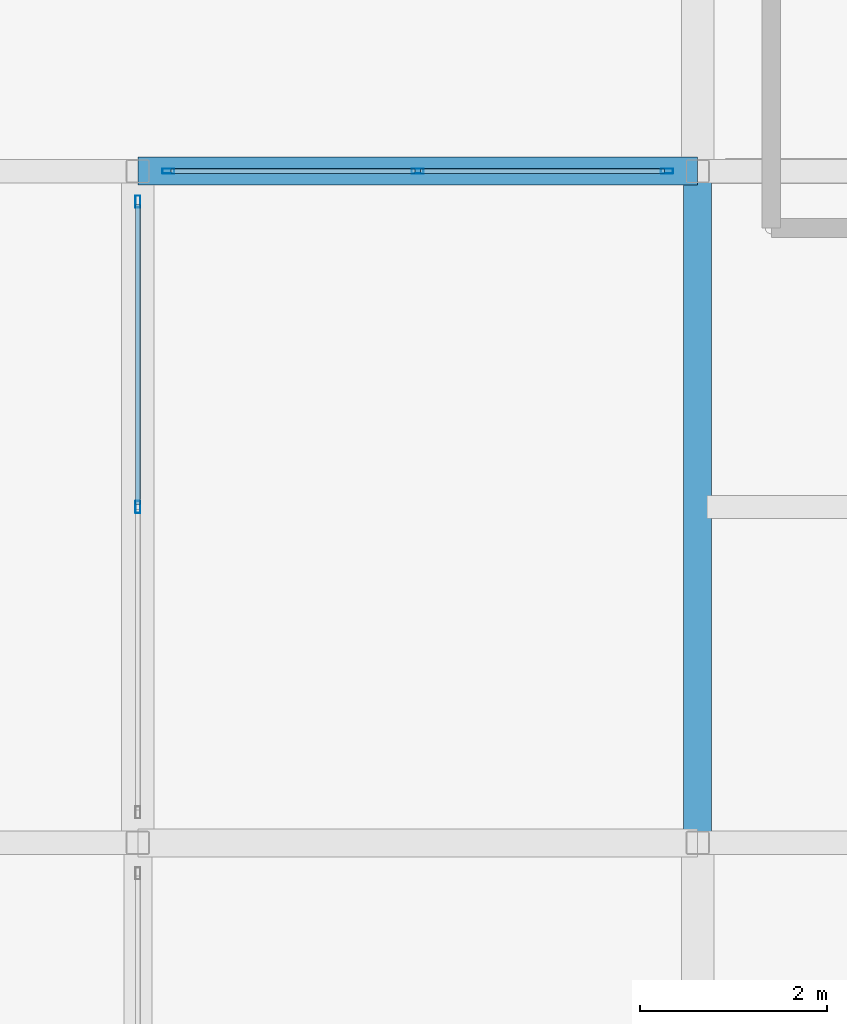
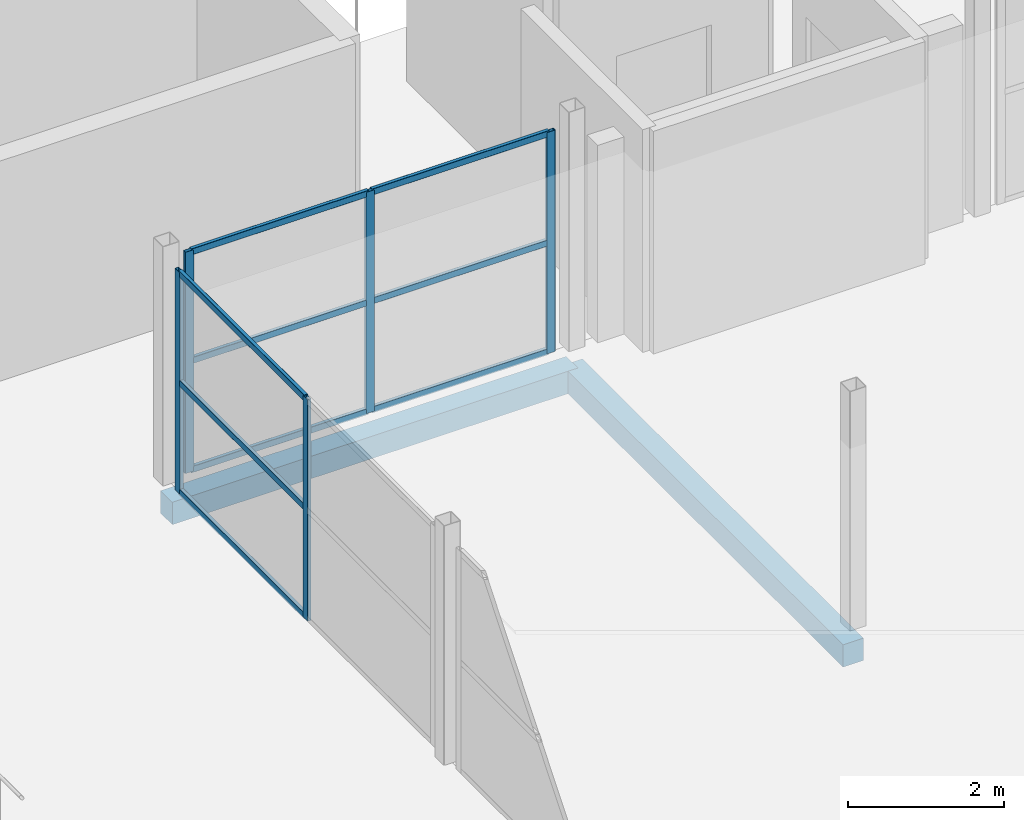
# One storey, part 45 of 239: 14 members, 2 beams, 2 elements without a shape of their own.
"""IFC4 building model written with IfcOpenShell, lengths in metres."""

from ifc_helpers import new_model, si_unit, direction, frame, origin, origin_2d, place, context, subcontext, project, spatial, rectangle, hollow_rectangle, extrude, material, layer, layer_set, material_profile, profile_set, type_object, element, aggregate, save


model = new_model("IFC4")

# Units and contexts
model_context = context("Model", 3, precision=1e-05, world=origin(), true_north=direction((0.0, 1.0)))
body_context = subcontext(model_context, "Body", "Model", "MODEL_VIEW")
ifc_project = project(units=[si_unit("LENGTHUNIT", "METRE"), si_unit("AREAUNIT", "SQUARE_METRE"), si_unit("VOLUMEUNIT", "CUBIC_METRE"), si_unit("PLANEANGLEUNIT", "RADIAN"), si_unit("MASSUNIT", "GRAM", prefix="KILO")], contexts=[model_context])

# Site, building, storey
site_placement = place(None, origin())
site = spatial("IfcSite", under=ifc_project, at=site_placement, CompositionType="ELEMENT")
building_placement = place(site_placement, origin())
building = spatial("IfcBuilding", under=site, at=building_placement, Name="Dunvalen Ferry Terminal", CompositionType="ELEMENT")
storey_placement = place(building_placement, frame((0.0, 0.0, 9.840087890625)))
storey = spatial("IfcBuildingStorey", under=building, at=storey_placement, Name="L02", CompositionType="ELEMENT", Elevation=9.840087890625)

# Curtain wall, members
ifc_material_1 = material(Name="Anodised marine aluminium and solar-control glazing", Category="aluminium")
ifc_layer_1 = layer(ifc_material_1, 0.159912109375, Name="Anodised marine aluminium and solar-control glazing")
ifc_layer_set_1 = layer_set([ifc_layer_1], Name="Anodised marine aluminium and solar-control glazing")
curtain_wall_type_1 = type_object("IfcCurtainWallType", Name="ENV-CW-SYS-09", PredefinedType="NOTDEFINED", material=ifc_layer_set_1)
curtain_wall_1_placement = place(storey_placement, origin())
curtain_wall_1 = element("IfcCurtainWall", 1, at=curtain_wall_1_placement, inside=storey, type_object=curtain_wall_type_1, Name="L02 Curtain Wall CW-PAV-N-1", PredefinedType="NOTDEFINED")
ifc_material_2 = material(Name="Anodised marine aluminium EN AW-6063 T6", Category="aluminium")
ifc_material_profile_1 = material_profile(ifc_material_2, hollow_rectangle(XDim=0.054931640625, YDim=0.1298828125, WallThickness=0.003173828125, InnerFilletRadius=0.003173828125, OuterFilletRadius=0.00634765625, at=origin_2d()), Name="Anodised marine aluminium EN AW-6063 T6")
ifc_profile_set_1 = profile_set([ifc_material_profile_1], Name="Anodised marine aluminium EN AW-6063 T6")
member_type_1 = type_object("IfcMemberType", Name="ENV-CW-MUL-4", PredefinedType="MULLION", material=ifc_profile_set_1)
member_1_placement = place(storey_placement, frame((114.327392578125, 36.0, 0.0), z_axis=(0.0, 0.0, 1.0), x_axis=(0.0, 1.0, 0.0)))
member_1 = element("IfcMember", 2, at=member_1_placement, type_object=member_type_1, Name="CW-09 mullion 1", PredefinedType="MULLION", context=body_context, shape_type="SweptSolid", body=[
    extrude(hollow_rectangle(XDim=0.054931640625, YDim=0.1298828125, WallThickness=0.003173828125, InnerFilletRadius=0.003173828125, OuterFilletRadius=0.00634765625, at=origin_2d()), origin(), (0.0, 0.0, 1.0), 3.4599609375),
])
member_2_placement = place(storey_placement, frame((117.0, 36.0, 0.0), z_axis=(0.0, 0.0, 1.0), x_axis=(0.0, 1.0, 0.0)))
member_2 = element("IfcMember", 3, at=member_2_placement, type_object=member_type_1, Name="CW-09 mullion 2", PredefinedType="MULLION", context=body_context, shape_type="SweptSolid", body=[
    extrude(hollow_rectangle(XDim=0.054931640625, YDim=0.1298828125, WallThickness=0.003173828125, InnerFilletRadius=0.003173828125, OuterFilletRadius=0.00634765625, at=origin_2d()), origin(), (0.0, 0.0, 1.0), 3.4599609375),
])
member_3_placement = place(storey_placement, frame((119.672607421875, 36.0, 0.0), z_axis=(0.0, 0.0, 1.0), x_axis=(0.0, 1.0, 0.0)))
member_3 = element("IfcMember", 4, at=member_3_placement, type_object=member_type_1, Name="CW-09 mullion 3", PredefinedType="MULLION", context=body_context, shape_type="SweptSolid", body=[
    extrude(hollow_rectangle(XDim=0.054931640625, YDim=0.1298828125, WallThickness=0.003173828125, InnerFilletRadius=0.003173828125, OuterFilletRadius=0.00634765625, at=origin_2d()), origin(), (0.0, 0.0, 1.0), 3.4599609375),
])

ifc_layer_2 = layer(ifc_material_1, 0.159912109375, Name="Anodised marine aluminium and solar-control glazing")
ifc_layer_set_2 = layer_set([ifc_layer_2], Name="Anodised marine aluminium and solar-control glazing")
curtain_wall_type_2 = type_object("IfcCurtainWallType", Name="ENV-CW-SYS-10", PredefinedType="NOTDEFINED", material=ifc_layer_set_2)
curtain_wall_2_placement = place(storey_placement, origin())
curtain_wall_2 = element("IfcCurtainWall", 5, at=curtain_wall_2_placement, inside=storey, type_object=curtain_wall_type_2, Name="L02 Curtain Wall CW-PAV-W-3", PredefinedType="NOTDEFINED")
member_4_placement = place(storey_placement, frame((114.0, 32.39990234375, 0.0), z_axis=(0.0, 0.0, 1.0), x_axis=(-1.0, 0.0, 0.0)))
member_4 = element("IfcMember", 6, at=member_4_placement, type_object=member_type_1, Name="CW-10 mullion 2", PredefinedType="MULLION", context=body_context, shape_type="SweptSolid", body=[
    extrude(hollow_rectangle(XDim=0.054931640625, YDim=0.1298828125, WallThickness=0.003173828125, InnerFilletRadius=0.003173828125, OuterFilletRadius=0.00634765625, at=origin_2d()), origin(), (0.0, 0.0, 1.0), 3.4599609375),
])
member_5_placement = place(storey_placement, frame((114.0, 35.672607421875, 0.0), z_axis=(0.0, 0.0, 1.0), x_axis=(-1.0, 0.0, 0.0)))
member_5 = element("IfcMember", 7, at=member_5_placement, type_object=member_type_1, Name="CW-10 mullion 3", PredefinedType="MULLION", context=body_context, shape_type="SweptSolid", body=[
    extrude(hollow_rectangle(XDim=0.054931640625, YDim=0.1298828125, WallThickness=0.003173828125, InnerFilletRadius=0.003173828125, OuterFilletRadius=0.00634765625, at=origin_2d()), origin(), (0.0, 0.0, 1.0), 3.4599609375),
])

# Member
ifc_material_profile_2 = material_profile(ifc_material_2, hollow_rectangle(XDim=0.054931640625, YDim=0.10009765625, WallThickness=0.0029296875, InnerFilletRadius=0.0029296875, OuterFilletRadius=0.006103515625, at=origin_2d()), Name="Anodised marine aluminium EN AW-6063 T6")
ifc_profile_set_2 = profile_set([ifc_material_profile_2], Name="Anodised marine aluminium EN AW-6063 T6")
member_type_2 = type_object("IfcMemberType", Name="ENV-CW-TRN-4", PredefinedType="USERDEFINED", material=ifc_profile_set_2)
member_6_placement = place(storey_placement, frame((114.35498046875, 36.0, 0.02734375), z_axis=(1.0, 0.0, 0.0), x_axis=(0.0, 1.0, 0.0)))
member_6 = element("IfcMember", 8, at=member_6_placement, type_object=member_type_2, Name="CW-09 transom 1.1", ObjectType="TRANSOM", PredefinedType="USERDEFINED", context=body_context, shape_type="SweptSolid", body=[
    extrude(hollow_rectangle(XDim=0.054931640625, YDim=0.10009765625, WallThickness=0.0029296875, InnerFilletRadius=0.0029296875, OuterFilletRadius=0.006103515625, at=origin_2d()), origin(), (0.0, 0.0, 1.0), 2.617431640625),
])

member_7_placement = place(storey_placement, frame((114.35498046875, 36.0, 1.72998046875), z_axis=(1.0, 0.0, 0.0), x_axis=(0.0, 1.0, 0.0)))
member_7 = element("IfcMember", 9, at=member_7_placement, type_object=member_type_2, Name="CW-09 transom 1.2", ObjectType="TRANSOM", PredefinedType="USERDEFINED", context=body_context, shape_type="SweptSolid", body=[
    extrude(hollow_rectangle(XDim=0.054931640625, YDim=0.10009765625, WallThickness=0.0029296875, InnerFilletRadius=0.0029296875, OuterFilletRadius=0.006103515625, at=origin_2d()), origin(), (0.0, 0.0, 1.0), 2.617431640625),
])

member_8_placement = place(storey_placement, frame((114.35498046875, 36.0, 3.432373046875), z_axis=(1.0, 0.0, 0.0), x_axis=(0.0, 1.0, 0.0)))
member_8 = element("IfcMember", 10, at=member_8_placement, type_object=member_type_2, Name="CW-09 transom 1.3", ObjectType="TRANSOM", PredefinedType="USERDEFINED", context=body_context, shape_type="SweptSolid", body=[
    extrude(hollow_rectangle(XDim=0.054931640625, YDim=0.10009765625, WallThickness=0.0029296875, InnerFilletRadius=0.0029296875, OuterFilletRadius=0.006103515625, at=origin_2d()), origin(), (0.0, 0.0, 1.0), 2.617431640625),
])

member_9_placement = place(storey_placement, frame((117.027587890625, 36.0, 0.02734375), z_axis=(1.0, 0.0, 0.0), x_axis=(0.0, 1.0, 0.0)))
member_9 = element("IfcMember", 11, at=member_9_placement, type_object=member_type_2, Name="CW-09 transom 2.1", ObjectType="TRANSOM", PredefinedType="USERDEFINED", context=body_context, shape_type="SweptSolid", body=[
    extrude(hollow_rectangle(XDim=0.054931640625, YDim=0.10009765625, WallThickness=0.0029296875, InnerFilletRadius=0.0029296875, OuterFilletRadius=0.006103515625, at=origin_2d()), origin(), (0.0, 0.0, 1.0), 2.617431640625),
])

member_10_placement = place(storey_placement, frame((117.027587890625, 36.0, 1.72998046875), z_axis=(1.0, 0.0, 0.0), x_axis=(0.0, 1.0, 0.0)))
member_10 = element("IfcMember", 12, at=member_10_placement, type_object=member_type_2, Name="CW-09 transom 2.2", ObjectType="TRANSOM", PredefinedType="USERDEFINED", context=body_context, shape_type="SweptSolid", body=[
    extrude(hollow_rectangle(XDim=0.054931640625, YDim=0.10009765625, WallThickness=0.0029296875, InnerFilletRadius=0.0029296875, OuterFilletRadius=0.006103515625, at=origin_2d()), origin(), (0.0, 0.0, 1.0), 2.617431640625),
])

member_11_placement = place(storey_placement, frame((117.027587890625, 36.0, 3.432373046875), z_axis=(1.0, 0.0, 0.0), x_axis=(0.0, 1.0, 0.0)))
member_11 = element("IfcMember", 13, at=member_11_placement, type_object=member_type_2, Name="CW-09 transom 2.3", ObjectType="TRANSOM", PredefinedType="USERDEFINED", context=body_context, shape_type="SweptSolid", body=[
    extrude(hollow_rectangle(XDim=0.054931640625, YDim=0.10009765625, WallThickness=0.0029296875, InnerFilletRadius=0.0029296875, OuterFilletRadius=0.006103515625, at=origin_2d()), origin(), (0.0, 0.0, 1.0), 2.617431640625),
])

aggregate(curtain_wall_1, [member_1, member_2, member_3, member_6, member_7, member_8, member_9, member_10, member_11])

member_12_placement = place(storey_placement, frame((114.0, 32.427490234375, 0.02734375), z_axis=(0.0, 1.0, 0.0), x_axis=(-1.0, 0.0, 0.0)))
member_12 = element("IfcMember", 14, at=member_12_placement, type_object=member_type_2, Name="CW-10 transom 2.1", ObjectType="TRANSOM", PredefinedType="USERDEFINED", context=body_context, shape_type="SweptSolid", body=[
    extrude(hollow_rectangle(XDim=0.054931640625, YDim=0.10009765625, WallThickness=0.0029296875, InnerFilletRadius=0.0029296875, OuterFilletRadius=0.006103515625, at=origin_2d()), origin(), (0.0, 0.0, 1.0), 3.217529296875),
])

member_13_placement = place(storey_placement, frame((114.0, 32.427490234375, 1.72998046875), z_axis=(0.0, 1.0, 0.0), x_axis=(-1.0, 0.0, 0.0)))
member_13 = element("IfcMember", 15, at=member_13_placement, type_object=member_type_2, Name="CW-10 transom 2.2", ObjectType="TRANSOM", PredefinedType="USERDEFINED", context=body_context, shape_type="SweptSolid", body=[
    extrude(hollow_rectangle(XDim=0.054931640625, YDim=0.10009765625, WallThickness=0.0029296875, InnerFilletRadius=0.0029296875, OuterFilletRadius=0.006103515625, at=origin_2d()), origin(), (0.0, 0.0, 1.0), 3.217529296875),
])

member_14_placement = place(storey_placement, frame((114.0, 32.427490234375, 3.432373046875), z_axis=(0.0, 1.0, 0.0), x_axis=(-1.0, 0.0, 0.0)))
member_14 = element("IfcMember", 16, at=member_14_placement, type_object=member_type_2, Name="CW-10 transom 2.3", ObjectType="TRANSOM", PredefinedType="USERDEFINED", context=body_context, shape_type="SweptSolid", body=[
    extrude(hollow_rectangle(XDim=0.054931640625, YDim=0.10009765625, WallThickness=0.0029296875, InnerFilletRadius=0.0029296875, OuterFilletRadius=0.006103515625, at=origin_2d()), origin(), (0.0, 0.0, 1.0), 3.217529296875),
])

aggregate(curtain_wall_2, [member_4, member_5, member_12, member_13, member_14])

# Beams
ifc_material_3 = material(Name="Concrete C40/50", Category="concrete")
ifc_material_profile_3 = material_profile(ifc_material_3, rectangle(XDim=0.300048828125, YDim=0.35009765625, at=origin_2d()), Name="Concrete C40/50")
ifc_profile_set_3 = profile_set([ifc_material_profile_3], Name="Concrete C40/50")
beam_type = type_object("IfcBeamType", Name="STR-BM-RCL350", PredefinedType="LINTEL", material=ifc_profile_set_3)
beam_1_placement = place(storey_placement, frame((114.0, 36.0, -0.455078125), z_axis=(1.0, 0.0, 0.0), x_axis=(0.0, 1.0, 0.0)))
element("IfcBeam", 17, at=beam_1_placement, inside=storey, type_object=beam_type, Name="L02 V4 Primary Beam X-048", PredefinedType="LINTEL", context=body_context, shape_type="SweptSolid", body=[
    extrude(rectangle(XDim=0.300048828125, YDim=0.35009765625, at=origin_2d()), origin(), (0.0, 0.0, 1.0), 6.0),
])
beam_2_placement = place(storey_placement, frame((120.0, 28.800048828125, -0.455078125), z_axis=(0.0, 1.0, 0.0), x_axis=(-1.0, 0.0, 0.0)))
element("IfcBeam", 18, at=beam_2_placement, inside=storey, type_object=beam_type, Name="L02 V4 Primary Girder Y-078", PredefinedType="LINTEL", context=body_context, shape_type="SweptSolid", body=[
    extrude(rectangle(XDim=0.300048828125, YDim=0.35009765625, at=origin_2d()), origin(), (0.0, 0.0, 1.0), 7.199951171875),
])

save(model, "model.ifc")
